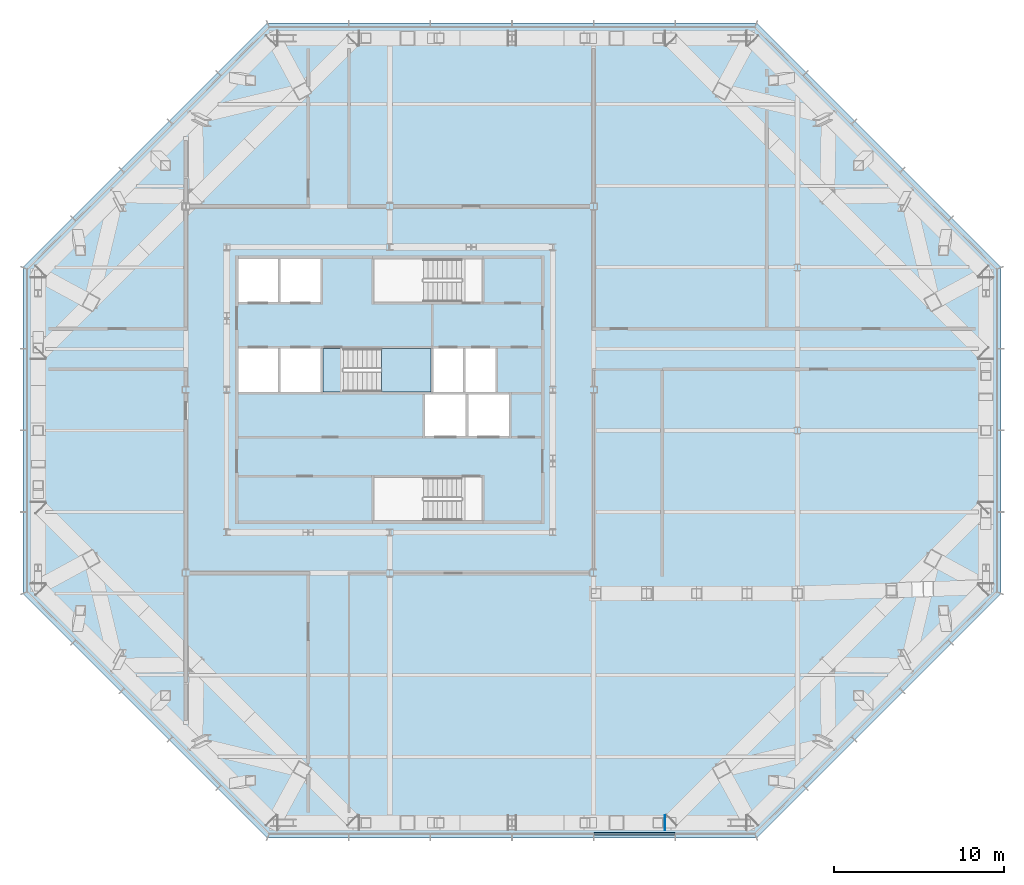
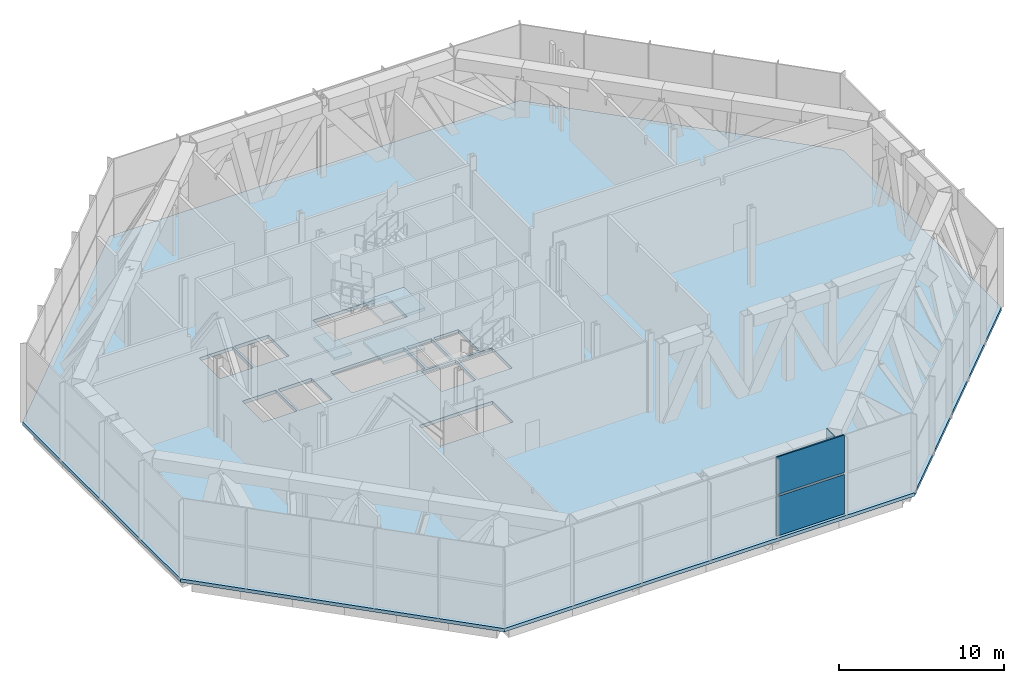
# One storey, part 10 of 18: 4 slabs, 3 plates, 2 elements without a shape of their own.
"""IFC4 building model written with IfcOpenShell, lengths in metres."""

from ifc_helpers import new_model, si_unit, direction, frame, origin, origin_2d, place, context, subcontext, project, spatial, polyline, rectangle, outline, extrude, material, layer, layer_set, material_profile, profile_set, type_object, element, aggregate, save


model = new_model("IFC4")

# Units and contexts
model_context = context("Model", 3, precision=1e-05, world=origin(), true_north=direction((0.0, 1.0)))
body_context = subcontext(model_context, "Body", "Model", "MODEL_VIEW")
ifc_project = project(units=[si_unit("LENGTHUNIT", "METRE"), si_unit("AREAUNIT", "SQUARE_METRE"), si_unit("VOLUMEUNIT", "CUBIC_METRE"), si_unit("PLANEANGLEUNIT", "RADIAN"), si_unit("MASSUNIT", "GRAM", prefix="KILO")], contexts=[model_context])

# Site, building, storey
site_placement = place(None, origin())
site = spatial("IfcSite", under=ifc_project, at=site_placement, CompositionType="ELEMENT")
building_placement = place(site_placement, origin())
building = spatial("IfcBuilding", under=site, at=building_placement, Name="Cairn Pilgrim Tower", CompositionType="ELEMENT")
storey_placement = place(building_placement, frame((0.0, 0.0, 204.60009765625)))
storey = spatial("IfcBuildingStorey", under=building, at=storey_placement, Name="L52", CompositionType="ELEMENT", Elevation=204.60009765625)

# Slab
ifc_material_1 = material(Name="Concrete C35/45", Category="concrete")
ifc_layer_1 = layer(ifc_material_1, 0.25)
ifc_layer_set_1 = layer_set([ifc_layer_1], Name="COMPOSITE FLOOR SLAB 250")
slab_type_1 = type_object("IfcSlabType", Name="COMPOSITE FLOOR SLAB 250", PredefinedType="FLOOR", material=ifc_layer_set_1)
slab_1_placement = place(storey_placement, frame((0.0, 0.0, -0.25)))
element("IfcSlab", 1, at=slab_1_placement, inside=storey, type_object=slab_type_1, Name="FLOOR SLAB L52", PredefinedType="FLOOR", context=body_context, shape_type="SweptSolid", body=[
    extrude(outline(polyline([(0.0, -24.0), (28.800048828125, -24.0), (43.199951171875, -9.60009765625), (43.199951171875, 9.60009765625), (28.800048828125, 24.0), (0.0, 24.0), (-14.39990234375, 9.60009765625), (-14.39990234375, -9.60009765625), (0.0, -24.0)]), holes=[polyline([(9.27490234375, -0.324951171875), (11.675048828125, -0.324951171875), (11.675048828125, 2.125), (9.27490234375, 2.125), (9.27490234375, -0.324951171875)]), polyline([(11.824951171875, -0.324951171875), (14.22509765625, -0.324951171875), (14.22509765625, 2.125), (11.824951171875, 2.125), (11.824951171875, -0.324951171875)]), polyline([(-1.72509765625, 2.27490234375), (0.625, 2.27490234375), (0.625, 4.824951171875), (-1.72509765625, 4.824951171875), (-1.72509765625, 2.27490234375)]), polyline([(0.77490234375, 2.27490234375), (3.125, 2.27490234375), (3.125, 4.824951171875), (0.77490234375, 4.824951171875), (0.77490234375, 2.27490234375)]), polyline([(-1.72509765625, 7.574951171875), (0.625, 7.574951171875), (0.625, 10.10009765625), (-1.72509765625, 10.10009765625), (-1.72509765625, 7.574951171875)]), polyline([(0.77490234375, 7.574951171875), (3.125, 7.574951171875), (3.125, 10.10009765625), (0.77490234375, 10.10009765625), (0.77490234375, 7.574951171875)]), polyline([(9.77490234375, 2.27490234375), (11.52490234375, 2.27490234375), (11.52490234375, 4.824951171875), (9.77490234375, 4.824951171875), (9.77490234375, 2.27490234375)]), polyline([(11.675048828125, 2.27490234375), (13.425048828125, 2.27490234375), (13.425048828125, 4.824951171875), (11.675048828125, 4.824951171875), (11.675048828125, 2.27490234375)]), polyline([(11.424560546875, -2.77490234375), (6.27490234375, -2.77490234375), (6.27490234375, -5.300048828125), (11.424560546875, -5.300048828125), (11.424560546875, -2.77490234375)]), polyline([(4.4755859375, 2.27490234375), (9.625, 2.27490234375), (9.625, 4.824951171875), (4.4755859375, 4.824951171875), (4.4755859375, 2.27490234375)]), polyline([(11.424560546875, 10.10009765625), (6.27490234375, 10.10009765625), (6.27490234375, 7.574951171875), (11.424560546875, 7.574951171875), (11.424560546875, 10.10009765625)])]), origin(), (0.0, 0.0, 1.0), 0.25),
])

# Plate
ifc_material_2 = material(Name="Structural steel S460M", Category="steel")
ifc_material_profile = material_profile(ifc_material_2, rectangle(XDim=0.89990234375, YDim=0.89990234375, at=origin_2d()), Name="END PLATE BOX 900x900x50")
ifc_profile_set = profile_set([ifc_material_profile], Name="Structural steel S460M")
plate_type_1 = type_object("IfcPlateType", Name="END PLATE BOX 900x900x50", PredefinedType="SHEET", material=ifc_profile_set)
plate_1_placement = place(storey_placement, frame((23.390869140625, -23.10009765625, 5.39990234375), z_axis=(1.0, 0.0, 0.0), x_axis=(0.0, 1.0, 0.0)))
element("IfcPlate", 2, at=plate_1_placement, inside=storey, type_object=plate_type_1, Name="EP-BT52-S-TC6-B", PredefinedType="SHEET", context=body_context, shape_type="SweptSolid", body=[
    extrude(rectangle(XDim=0.89990234375, YDim=0.89990234375, at=origin_2d()), origin(), (0.0, 0.0, 1.0), 0.0400390625),
])

# Curtain wall, plates
ifc_material_3 = material(Name="Aluminium alloy 6063-T6 bronze anodised with Bronze tinted laminated low-E glass 8+16+8.8", Category="aluminium")
curtain_wall_type = type_object("IfcCurtainWallType", Name="PLANT LOUVRE CURTAIN WALL", PredefinedType="NOTDEFINED", material=ifc_material_3)
curtain_wall_placement = place(storey_placement, origin())
curtain_wall = element("IfcCurtainWall", 3, at=curtain_wall_placement, inside=storey, type_object=curtain_wall_type, Name="Plant Louvre Curtain Wall S", PredefinedType="NOTDEFINED")
ifc_material_4 = material(Name="Bronze anodised aluminium louvre blades", Category="aluminium")
ifc_layer_2 = layer(ifc_material_4, 0.10009765625)
ifc_layer_set_2 = layer_set([ifc_layer_2], Name="LOUVRE PANEL 4740x2775")
plate_type_2 = type_object("IfcPlateType", Name="LOUVRE PANEL 4740x2775", PredefinedType="CURTAIN_PANEL", material=ifc_layer_set_2)
plate_2_placement = place(storey_placement, frame((21.60009765625, -23.75, 3.074951171875), z_axis=(0.0, 0.0, 1.0), x_axis=(1.0, 0.0, 0.0)))
plate_2 = element("IfcPlate", 4, at=plate_2_placement, type_object=plate_type_2, Name="Louvre Panel S5-2", PredefinedType="CURTAIN_PANEL", context=body_context, shape_type="SweptSolid", body=[
    extrude(rectangle(XDim=4.739990234375, YDim=0.10009765625, at=origin_2d()), origin(), (0.0, 0.0, 1.0), 2.77490234375),
])
ifc_layer_3 = layer(ifc_material_4, 0.10009765625)
ifc_layer_set_3 = layer_set([ifc_layer_3], Name="LOUVRE PANEL 4740x2925")
plate_type_3 = type_object("IfcPlateType", Name="LOUVRE PANEL 4740x2925", PredefinedType="CURTAIN_PANEL", material=ifc_layer_set_3)
plate_3_placement = place(storey_placement, frame((21.60009765625, -23.75, 0.0), z_axis=(0.0, 0.0, 1.0), x_axis=(1.0, 0.0, 0.0)))
plate_3 = element("IfcPlate", 5, at=plate_3_placement, type_object=plate_type_3, Name="Louvre Panel S5-1", PredefinedType="CURTAIN_PANEL", context=body_context, shape_type="SweptSolid", body=[
    extrude(rectangle(XDim=4.739990234375, YDim=0.10009765625, at=origin_2d()), origin(), (0.0, 0.0, 1.0), 2.925048828125),
])
aggregate(curtain_wall, [plate_3, plate_2])

# Stair, slabs
ifc_material_5 = material(Name="Concrete C32/40", Category="concrete")
stair_type = type_object("IfcStairType", Name="EXIT STAIR 1200", PredefinedType="HALF_TURN_STAIR", material=ifc_material_5)
stair_placement = place(storey_placement, origin())
stair = element("IfcStair", 6, at=stair_placement, inside=storey, type_object=stair_type, Name="L52 Exit Stair B", PredefinedType="HALF_TURN_STAIR")
ifc_layer_4 = layer(ifc_material_5, 0.199951171875)
ifc_layer_set_4 = layer_set([ifc_layer_4], Name="STAIR LANDING 200")
slab_type_2 = type_object("IfcSlabType", Name="STAIR LANDING 200", PredefinedType="LANDING", material=ifc_layer_set_4)
slab_2_placement = place(storey_placement, frame((0.0, 0.0, 1.2998046875)))
slab_2 = element("IfcSlab", 7, at=slab_2_placement, type_object=slab_type_2, Name="ST-B landing 1", PredefinedType="LANDING", context=body_context, shape_type="SweptSolid", body=[
    extrude(outline(polyline([(6.715087890625, 2.27490234375), (9.625, 2.27490234375), (9.625, 4.824951171875), (6.715087890625, 4.824951171875), (6.715087890625, 2.27490234375)])), origin(), (0.0, 0.0, 1.0), 0.2001953125),
])
slab_3_placement = place(storey_placement, frame((0.0, 0.0, 2.7998046875)))
slab_3 = element("IfcSlab", 8, at=slab_3_placement, type_object=slab_type_2, Name="ST-B landing 2", PredefinedType="LANDING", context=body_context, shape_type="SweptSolid", body=[
    extrude(outline(polyline([(3.27490234375, 2.27490234375), (4.47509765625, 2.27490234375), (4.47509765625, 4.824951171875), (3.27490234375, 4.824951171875), (3.27490234375, 2.27490234375)])), origin(), (0.0, 0.0, 1.0), 0.2001953125),
])
slab_4_placement = place(storey_placement, frame((0.0, 0.0, 4.2998046875)))
slab_4 = element("IfcSlab", 9, at=slab_4_placement, type_object=slab_type_2, Name="ST-B landing 3", PredefinedType="LANDING", context=body_context, shape_type="SweptSolid", body=[
    extrude(outline(polyline([(6.715087890625, 2.27490234375), (9.625, 2.27490234375), (9.625, 4.824951171875), (6.715087890625, 4.824951171875), (6.715087890625, 2.27490234375)])), origin(), (0.0, 0.0, 1.0), 0.2001953125),
])
aggregate(stair, [slab_2, slab_3, slab_4])

save(model, "model.ifc")
